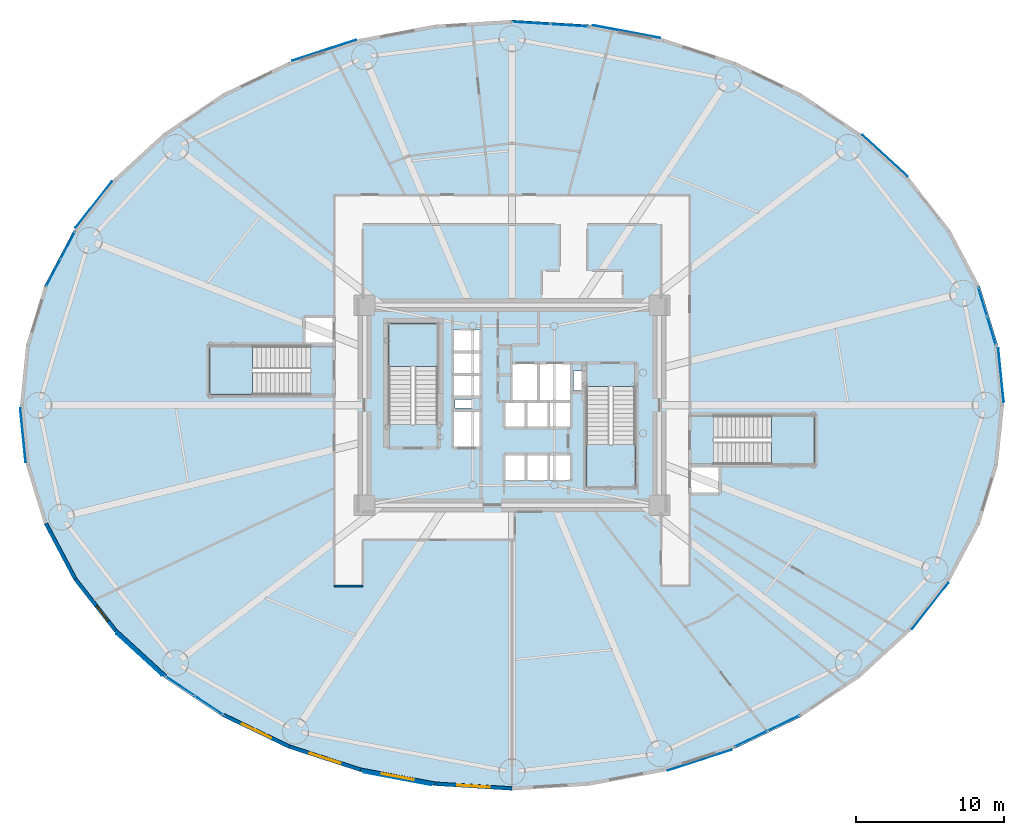
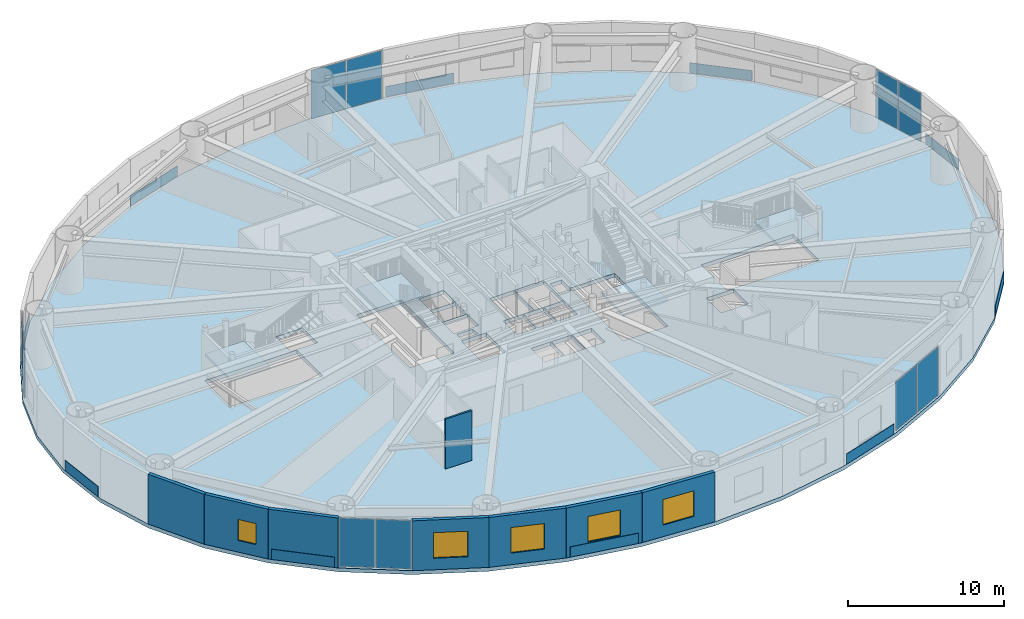
# One storey, part 12 of 27: 20 plates, 8 walls, 5 slabs, 5 windows, 5 openings, 9 elements without a shape of their own.
"""IFC4 building model written with IfcOpenShell, lengths in metres."""

import ifcopenshell
import ifcopenshell.guid

model = None  # the IFC model being written
_history = None  # IfcOwnerHistory: only IFC2X3 demands one
_inside = {}  # id of a spatial element -> (the spatial element, [elements in it])
_under = {}  # id of a project, library or spatial element -> (it, [spatial elements below it])
_declared = {}  # id of a project -> (the project, [libraries it declares])
_typed = {}  # id of a type object -> (the type object, [elements of that type])
_made_of = {}  # id of a material, layer set ... -> (it, [elements and type objects made of it])


def new_model(schema):
    """Start an empty IFC model of exactly this schema.

    Asked for "IFC4X3", IfcOpenShell would pick the latest addendum, in which some entities
    have other attributes; the version numbers below select the first issue.
    IFC2X3 requires an IfcOwnerHistory on every rooted entity: one is made here for all.
    """
    global model, _history
    if schema == "IFC4X3":
        model = ifcopenshell.file(schema_version=(4, 3, 0, 0))
    else:
        model = ifcopenshell.file(schema=schema)
    _inside.clear()
    _under.clear()
    _declared.clear()
    _typed.clear()
    _made_of.clear()
    _history = None
    if model.schema == "IFC2X3":
        org = make("IfcOrganization", Name="unknown")
        user = make(
            "IfcPersonAndOrganization",
            ThePerson=make("IfcPerson", FamilyName="unknown"),
            TheOrganization=org,
        )
        app = make(
            "IfcApplication",
            ApplicationDeveloper=org,
            Version="unknown",
            ApplicationFullName="unknown",
            ApplicationIdentifier="unknown",
        )
        _history = make(
            "IfcOwnerHistory",
            OwningUser=user,
            OwningApplication=app,
            ChangeAction="ADDED",
            CreationDate=0,
        )
    return model


def make(cls, **values):
    """One entity of the class cls with the attributes given. An attribute that is None is left unset."""
    return model.create_entity(
        cls, **{name: value for name, value in values.items() if value is not None}
    )


def rooted(cls, **values):
    """An entity with a GlobalId (a new one), such as an element, a storey or a relation."""
    return make(cls, GlobalId=ifcopenshell.guid.new(), OwnerHistory=_history, **values)


def si_unit(unit_type, name, prefix=None):
    """IfcSIUnit, for example si_unit("LENGTHUNIT", "METRE", prefix="MILLI")."""
    return make("IfcSIUnit", UnitType=unit_type, Prefix=prefix, Name=name)


def assignment(units):
    """IfcUnitAssignment: the units of a project."""
    return None if units is None else make("IfcUnitAssignment", Units=units)


def point(xyz):
    """IfcCartesianPoint."""
    return None if xyz is None else make("IfcCartesianPoint", Coordinates=xyz)


def direction(xyz):
    """IfcDirection."""
    return None if xyz is None else make("IfcDirection", DirectionRatios=xyz)


def frame(location, z_axis=None, x_axis=None):
    """IfcAxis2Placement3D, a coordinate frame: its origin and axes. An axis left out is left unset."""
    return make(
        "IfcAxis2Placement3D",
        Location=point(location),
        Axis=direction(z_axis),
        RefDirection=direction(x_axis),
    )


def frame_2d(location, x_axis=None):
    """IfcAxis2Placement2D, a coordinate frame in the plane: its origin and x axis."""
    return make(
        "IfcAxis2Placement2D", Location=point(location), RefDirection=direction(x_axis)
    )


def origin():
    """The frame at (0, 0, 0) with its axes left unset."""
    return frame((0.0, 0.0, 0.0))


def origin_2d():
    """The frame at (0, 0) in the plane with its x axis left unset."""
    return frame_2d((0.0, 0.0))


def place(relative_to, where):
    """IfcLocalPlacement: puts the frame where relative to a parent placement (None: the world)."""
    return make(
        "IfcLocalPlacement", PlacementRelTo=relative_to, RelativePlacement=where
    )


def context(
    kind, dimensions, precision=None, world=None, true_north=None, identifier=None
):
    """IfcGeometricRepresentationContext, for example the 3D "Model" context."""
    return make(
        "IfcGeometricRepresentationContext",
        ContextIdentifier=identifier,
        ContextType=kind,
        CoordinateSpaceDimension=dimensions,
        Precision=precision,
        WorldCoordinateSystem=world,
        TrueNorth=true_north,
    )


def subcontext(parent, identifier, kind, view, scale=None):
    """IfcGeometricRepresentationSubContext, for example "Body" below "Model"."""
    return make(
        "IfcGeometricRepresentationSubContext",
        ContextIdentifier=identifier,
        ContextType=kind,
        ParentContext=parent,
        TargetScale=scale,
        TargetView=view,
    )


def project(units=None, contexts=None):
    """IfcProject with its units and contexts."""
    return rooted(
        "IfcProject",
        Name="project",
        RepresentationContexts=contexts,
        UnitsInContext=assignment(units),
    )


def spatial(cls, under=None, at=None, **own):
    """A site, building, storey or space (cls), placed at a placement, below another one or the project."""
    s = rooted(cls, ObjectPlacement=at, **own)
    if under is not None:
        _under.setdefault(under.id(), (under, []))[1].append(s)
    return s


def polyline(points):
    """IfcPolyline through the points."""
    return make("IfcPolyline", Points=[point(p) for p in points])


def profile(cls, at=None, kind="AREA", **sizes):
    """A parametric profile (cls). Its sizes go by their IFC names, for example OverallWidth=200.0."""
    return make(cls, ProfileType=kind, Position=at, **sizes)


def rectangle(**sizes):
    """IfcRectangleProfileDef."""
    return profile("IfcRectangleProfileDef", **sizes)


def outline(outer, holes=None, kind="AREA"):
    """IfcArbitraryClosedProfileDef: a profile drawn as a closed curve; with holes, ...WithVoids."""
    if holes is None:
        return make("IfcArbitraryClosedProfileDef", ProfileType=kind, OuterCurve=outer)
    return make(
        "IfcArbitraryProfileDefWithVoids",
        ProfileType=kind,
        OuterCurve=outer,
        InnerCurves=holes,
    )


def extrude(swept, where, along, depth):
    """IfcExtrudedAreaSolid: the profile swept, set in the frame where, extruded along a direction by depth."""
    return make(
        "IfcExtrudedAreaSolid",
        SweptArea=swept,
        Position=where,
        ExtrudedDirection=direction(along),
        Depth=depth,
    )


def shape(context_of_items, identifier, shape_type, items):
    """IfcShapeRepresentation: the items that make up one representation, for example the "Body"."""
    return make(
        "IfcShapeRepresentation",
        ContextOfItems=context_of_items,
        RepresentationIdentifier=identifier,
        RepresentationType=shape_type,
        Items=items,
    )


def source(mapping_origin, context_of_items, identifier, shape_type, items):
    """IfcRepresentationMap: a shape defined once, which mapped items show again and again."""
    return make(
        "IfcRepresentationMap",
        MappingOrigin=mapping_origin,
        MappedRepresentation=shape(context_of_items, identifier, shape_type, items),
    )


def transform(
    local_origin,
    x_axis=None,
    y_axis=None,
    z_axis=None,
    scale=None,
    scale2=None,
    scale3=None,
    uniform=True,
):
    """IfcCartesianTransformationOperator3D, or its non-uniform kind. x_axis, y_axis, z_axis: its Axis1, 2, 3."""
    if uniform:
        return make(
            "IfcCartesianTransformationOperator3D",
            Axis1=direction(x_axis),
            Axis2=direction(y_axis),
            LocalOrigin=point(local_origin),
            Scale=scale,
            Axis3=direction(z_axis),
        )
    return make(
        "IfcCartesianTransformationOperator3DnonUniform",
        Axis1=direction(x_axis),
        Axis2=direction(y_axis),
        LocalOrigin=point(local_origin),
        Scale=scale,
        Axis3=direction(z_axis),
        Scale2=scale2,
        Scale3=scale3,
    )


def mapped(mapping_source, mapping_target):
    """IfcMappedItem: shows the shape of a source again, moved by a transform."""
    return make(
        "IfcMappedItem", MappingSource=mapping_source, MappingTarget=mapping_target
    )


def material(Name=None, Category=None):
    """IfcMaterial."""
    return make("IfcMaterial", Name=Name, Category=Category)


def layer(
    of_material, thickness, ventilated=None, Name=None, Category=None, Priority=None
):
    """IfcMaterialLayer: one layer of a wall or slab, of a material (None: an air gap)."""
    return make(
        "IfcMaterialLayer",
        Material=of_material,
        LayerThickness=thickness,
        IsVentilated=ventilated,
        Name=Name,
        Category=Category,
        Priority=Priority,
    )


def layer_set(layers, Name=None):
    """IfcMaterialLayerSet."""
    return make("IfcMaterialLayerSet", MaterialLayers=layers, LayerSetName=Name)


def made_of(thing, what):
    """Note that an element or type object is made of a material, layer set ...; save() writes the relation."""
    if what is not None:
        _made_of.setdefault(what.id(), (what, []))[1].append(thing)
    return thing


def type_object(cls, material=None, **own):
    """A type object (cls), such as IfcWallType, which elements share."""
    return made_of(rooted(cls, **own), material)


def element(
    cls,
    number,
    at=None,
    inside=None,
    cuts=None,
    type_object=None,
    material=None,
    context=None,
    identifier="Body",
    shape_type=None,
    held_by="IfcProductDefinitionShape",
    body=None,
    shapes=None,
    **own,
):
    """One element of the class cls, such as IfcWall. Its Tag is "e" and its number.

    at: its placement. inside: the storey or other place that contains it. cuts: it is an
    opening in that element (IfcRelVoidsElement). A single representation is given by context,
    identifier, shape_type and body (its items); several are given by shapes. held_by: the class
    of the entity that holds the representations. save() writes the other relations.
    """
    e = rooted(cls, Tag="e%d" % number, ObjectPlacement=at, **own)
    if body is not None:
        shapes = [shape(context, identifier, shape_type, body)]
    if shapes is not None:
        e.Representation = make(held_by, Representations=shapes)
    if inside is not None:
        _inside.setdefault(inside.id(), (inside, []))[1].append(e)
    if cuts is not None:
        rooted(
            "IfcRelVoidsElement", RelatingBuildingElement=cuts, RelatedOpeningElement=e
        )
    if type_object is not None:
        _typed.setdefault(type_object.id(), (type_object, []))[1].append(e)
    return made_of(e, material)


def fill(opening, filler):
    """IfcRelFillsElement: the door or window that sits in an opening."""
    return rooted(
        "IfcRelFillsElement",
        RelatingOpeningElement=opening,
        RelatedBuildingElement=filler,
    )


def aggregate(whole, parts):
    """IfcRelAggregates: a whole, such as a stair, and the parts it consists of."""
    return rooted("IfcRelAggregates", RelatingObject=whole, RelatedObjects=parts)


def save(model, path):
    """Write the relations noted so far, then the file.

    IfcRelAggregates (storeys below a building ...), IfcRelContainedInSpatialStructure (elements
    in a storey), IfcRelDefinesByType, IfcRelAssociatesMaterial and IfcRelDeclares: one each for
    every whole, place, type object, material and project.
    """
    for whole, parts in _under.values():
        aggregate(whole, parts)
    for where, things in _inside.values():
        rooted(
            "IfcRelContainedInSpatialStructure",
            RelatedElements=things,
            RelatingStructure=where,
        )
    for kind, things in _typed.values():
        rooted("IfcRelDefinesByType", RelatedObjects=things, RelatingType=kind)
    for what, things in _made_of.values():
        rooted("IfcRelAssociatesMaterial", RelatedObjects=things, RelatingMaterial=what)
    for by, libraries in _declared.values():
        rooted("IfcRelDeclares", RelatingContext=by, RelatedDefinitions=libraries)
    model.write(path)


model = new_model("IFC4")

# Units and contexts
model_context = context("Model", 3, precision=1e-05, world=origin(), true_north=direction((0.0, 1.0)))
body_context = subcontext(model_context, "Body", "Model", "MODEL_VIEW")
ifc_project = project(units=[si_unit("LENGTHUNIT", "METRE"), si_unit("AREAUNIT", "SQUARE_METRE"), si_unit("VOLUMEUNIT", "CUBIC_METRE"), si_unit("PLANEANGLEUNIT", "RADIAN"), si_unit("MASSUNIT", "GRAM", prefix="KILO")], contexts=[model_context])

# Site, building, storey
site_placement = place(None, origin())
site = spatial("IfcSite", under=ifc_project, at=site_placement, CompositionType="ELEMENT")
building_placement = place(site_placement, origin())
building = spatial("IfcBuilding", under=site, at=building_placement, Name="Linh Dai School and Residence Tower", CompositionType="ELEMENT")
storey_placement = place(building_placement, frame((0.0, 0.0, 22.800048828125)))
storey = spatial("IfcBuildingStorey", under=building, at=storey_placement, Name="L05", CompositionType="ELEMENT", Elevation=22.800048828125)

# Slab
ifc_material_1 = material(Name="Concrete B45 (C35/45)", Category="concrete")
ifc_layer_1 = layer(ifc_material_1, 0.300048828125)
ifc_layer_set_1 = layer_set([ifc_layer_1], Name="Concrete B45 (C35/45)")
slab_type_1 = type_object("IfcSlabType", Name="SLB-FLR300", PredefinedType="FLOOR", material=ifc_layer_set_1)
slab_1_placement = place(storey_placement, frame((0.0, 0.0, -0.300048828125)))
element("IfcSlab", 1, at=slab_1_placement, inside=storey, type_object=slab_type_1, Name="L05 Composite Structural Floor Slab", PredefinedType="FLOOR", context=body_context, shape_type="SweptSolid", body=[
    extrude(outline(polyline([(69.199951171875, 27.0), (68.791259765625, 31.0673828125), (67.5751953125, 35.034423828125), (65.581298828125, 38.8037109375), (62.859375, 42.282470703125), (59.475830078125, 45.384765625), (55.514404296875, 48.034423828125), (51.072509765625, 50.166259765625), (46.25927734375, 51.7275390625), (41.193603515625, 52.679931640625), (36.0, 53.0), (30.806396484375, 52.679931640625), (25.74072265625, 51.7275390625), (20.927490234375, 50.166259765625), (16.485595703125, 48.034423828125), (12.524169921875, 45.384765625), (9.140625, 42.282470703125), (6.418701171875, 38.8037109375), (4.4248046875, 35.034423828125), (3.208740234375, 31.0673828125), (2.800048828125, 27.0), (3.208740234375, 22.9326171875), (4.4248046875, 18.965576171875), (6.418701171875, 15.1962890625), (9.140625, 11.717529296875), (12.524169921875, 8.615234375), (16.485595703125, 5.965576171875), (20.927490234375, 3.833740234375), (25.74072265625, 2.2724609375), (30.806396484375, 1.320068359375), (36.0, 1.0), (41.193603515625, 1.320068359375), (46.25927734375, 2.2724609375), (51.072509765625, 3.833740234375), (55.514404296875, 5.965576171875), (59.475830078125, 8.615234375), (62.859375, 11.717529296875), (65.581298828125, 15.1962890625), (67.5751953125, 18.965576171875), (68.791259765625, 22.9326171875), (69.199951171875, 27.0)]), holes=[polyline([(30.97998046875, 25.699951171875), (30.97998046875, 32.5), (27.679931640625, 32.5), (27.679931640625, 25.699951171875), (30.97998046875, 25.699951171875)]), polyline([(41.02001953125, 28.25), (41.02001953125, 21.449951171875), (44.320068359375, 21.449951171875), (44.320068359375, 28.25), (41.02001953125, 28.25)]), polyline([(22.39990234375, 31.0), (15.60009765625, 31.0), (15.60009765625, 27.699951171875), (22.39990234375, 27.699951171875), (22.39990234375, 31.0)]), polyline([(49.60009765625, 23.0), (56.39990234375, 23.0), (56.39990234375, 26.300048828125), (49.60009765625, 26.300048828125), (49.60009765625, 23.0)]), polyline([(35.97998046875, 27.280029296875), (37.77001953125, 27.280029296875), (37.77001953125, 29.820068359375), (35.97998046875, 29.820068359375), (35.97998046875, 27.280029296875)]), polyline([(32.030029296875, 24.1298828125), (33.8701171875, 24.1298828125), (33.8701171875, 26.6201171875), (32.030029296875, 26.6201171875), (32.030029296875, 24.1298828125)]), polyline([(37.830078125, 27.280029296875), (39.969970703125, 27.280029296875), (39.969970703125, 29.820068359375), (37.830078125, 29.820068359375), (37.830078125, 27.280029296875)]), polyline([(35.47998046875, 21.929931640625), (36.929931640625, 21.929931640625), (36.929931640625, 23.669921875), (35.47998046875, 23.669921875), (35.47998046875, 21.929931640625)]), polyline([(36.989990234375, 21.929931640625), (38.449951171875, 21.929931640625), (38.449951171875, 23.669921875), (36.989990234375, 23.669921875), (36.989990234375, 21.929931640625)]), polyline([(38.510009765625, 21.929931640625), (39.969970703125, 21.929931640625), (39.969970703125, 23.669921875), (38.510009765625, 23.669921875), (38.510009765625, 21.929931640625)]), polyline([(32.030029296875, 27.580078125), (33.8701171875, 27.580078125), (33.8701171875, 29.030029296875), (32.030029296875, 29.030029296875), (32.030029296875, 27.580078125)]), polyline([(32.030029296875, 29.090087890625), (33.8701171875, 29.090087890625), (33.8701171875, 30.550048828125), (32.030029296875, 30.550048828125), (32.030029296875, 29.090087890625)]), polyline([(32.030029296875, 30.610107421875), (33.8701171875, 30.610107421875), (33.8701171875, 32.070068359375), (32.030029296875, 32.070068359375), (32.030029296875, 30.610107421875)]), polyline([(35.47998046875, 25.47998046875), (36.929931640625, 25.47998046875), (36.929931640625, 27.219970703125), (35.47998046875, 27.219970703125), (35.47998046875, 25.47998046875)]), polyline([(36.989990234375, 25.47998046875), (38.449951171875, 25.47998046875), (38.449951171875, 27.219970703125), (36.989990234375, 27.219970703125), (36.989990234375, 25.47998046875)]), polyline([(38.510009765625, 25.47998046875), (39.969970703125, 25.47998046875), (39.969970703125, 27.219970703125), (38.510009765625, 27.219970703125), (38.510009765625, 25.47998046875)]), polyline([(21.97998046875, 31.080078125), (23.969970703125, 31.080078125), (23.969970703125, 32.969970703125), (21.97998046875, 32.969970703125), (21.97998046875, 31.080078125)]), polyline([(48.030029296875, 21.030029296875), (50.02001953125, 21.030029296875), (50.02001953125, 22.919921875), (48.030029296875, 22.919921875), (48.030029296875, 21.030029296875)]), polyline([(40.14990234375, 28.0), (40.14990234375, 29.300048828125), (41.0, 29.300048828125), (41.0, 28.280029296875), (40.989990234375, 28.280029296875), (40.989990234375, 28.0), (40.14990234375, 28.0)]), polyline([(32.14990234375, 26.800048828125), (33.35009765625, 26.800048828125), (33.35009765625, 27.39990234375), (32.14990234375, 27.39990234375), (32.14990234375, 26.800048828125)])]), origin(), (0.0, 0.0, 1.0), 0.300048828125),
])

# Stair, slab
stair_type = type_object("IfcStairType", Name="ST-DOG-1550-R1500", PredefinedType="HALF_TURN_STAIR", material=ifc_material_1)
stair_1_placement = place(storey_placement, origin())
stair_1 = element("IfcStair", 2, at=stair_1_placement, inside=storey, type_object=stair_type, Name="L05 Core Smokeproof Exit Stair ST1", PredefinedType="HALF_TURN_STAIR")
ifc_layer_2 = layer(ifc_material_1, 0.199951171875)
ifc_layer_set_2 = layer_set([ifc_layer_2], Name="Concrete B45 (C35/45)")
slab_type_2 = type_object("IfcSlabType", Name="SLB-ST-LANDING-200", PredefinedType="LANDING", material=ifc_layer_set_2)
slab_2_placement = place(storey_placement, frame((0.0, 0.0, 1.89990234375)))
slab_2 = element("IfcSlab", 3, at=slab_2_placement, type_object=slab_type_2, Name="ST1 landing 1", PredefinedType="LANDING", context=body_context, shape_type="SweptSolid", body=[
    extrude(outline(polyline([(30.97998046875, 29.60009765625), (30.97998046875, 32.5), (27.679931640625, 32.5), (27.679931640625, 29.60009765625), (30.97998046875, 29.60009765625)])), origin(), (0.0, 0.0, 1.0), 0.199951171875),
])
aggregate(stair_1, [slab_2])

stair_2_placement = place(storey_placement, origin())
stair_2 = element("IfcStair", 4, at=stair_2_placement, inside=storey, type_object=stair_type, Name="L05 Core Smokeproof Exit Stair ST2", PredefinedType="HALF_TURN_STAIR")
slab_3_placement = place(storey_placement, frame((0.0, 0.0, 1.89990234375)))
slab_3 = element("IfcSlab", 5, at=slab_3_placement, type_object=slab_type_2, Name="ST2 landing 1", PredefinedType="LANDING", context=body_context, shape_type="SweptSolid", body=[
    extrude(outline(polyline([(41.02001953125, 24.35009765625), (41.02001953125, 21.449951171875), (44.320068359375, 21.449951171875), (44.320068359375, 24.35009765625), (41.02001953125, 24.35009765625)])), origin(), (0.0, 0.0, 1.0), 0.199951171875),
])
aggregate(stair_2, [slab_3])

stair_3_placement = place(storey_placement, origin())
stair_3 = element("IfcStair", 6, at=stair_3_placement, inside=storey, type_object=stair_type, Name="L05 School Exit Stair STS1", PredefinedType="HALF_TURN_STAIR")
slab_4_placement = place(storey_placement, frame((0.0, 0.0, 1.89990234375)))
slab_4 = element("IfcSlab", 7, at=slab_4_placement, type_object=slab_type_2, Name="STS1 landing 1", PredefinedType="LANDING", context=body_context, shape_type="SweptSolid", body=[
    extrude(outline(polyline([(18.5, 31.0), (15.60009765625, 31.0), (15.60009765625, 27.699951171875), (18.5, 27.699951171875), (18.5, 31.0)])), origin(), (0.0, 0.0, 1.0), 0.199951171875),
])
aggregate(stair_3, [slab_4])

stair_4_placement = place(storey_placement, origin())
stair_4 = element("IfcStair", 8, at=stair_4_placement, inside=storey, type_object=stair_type, Name="L05 School Exit Stair STS2", PredefinedType="HALF_TURN_STAIR")
slab_5_placement = place(storey_placement, frame((0.0, 0.0, 1.89990234375)))
slab_5 = element("IfcSlab", 9, at=slab_5_placement, type_object=slab_type_2, Name="STS2 landing 1", PredefinedType="LANDING", context=body_context, shape_type="SweptSolid", body=[
    extrude(outline(polyline([(53.5, 23.0), (56.39990234375, 23.0), (56.39990234375, 26.300048828125), (53.5, 26.300048828125), (53.5, 23.0)])), origin(), (0.0, 0.0, 1.0), 0.199951171875),
])
aggregate(stair_4, [slab_5])

# Plates
ifc_material_2 = material(Name="Terracotta Rainscreen Cladding", Category="masonry")
ifc_layer_3 = layer(ifc_material_2, 0.0400390625)
ifc_layer_set_3 = layer_set([ifc_layer_3], Name="Terracotta Rainscreen Cladding")
plate_type_1 = type_object("IfcPlateType", Name="PLT-TC-SPANDREL", PredefinedType="SHEET", material=ifc_layer_set_3)
shared_shape_1 = source(origin(), body_context, "Body", "SweptSolid", [
    extrude(rectangle(XDim=3.656494140625, YDim=0.0400390625, at=origin_2d()), origin(), (0.0, 0.0, 1.0), 0.800048828125),
])
for number, where, z_axis, x_axis, name in (
    (10, (69.006103515625, 29.03466796875, 0.02001953125), (0.0, 0.0, 1.0), (0.099995480682, -0.994987891305, 0.0), "L05 Terracotta Spandrel Sheet 01"),
    (11, (2.993896484375, 24.96533203125, 0.02001953125), (0.0, 0.0, 1.0), (-0.099995480682, 0.994987891305, 0.0), "L05 Terracotta Spandrel Sheet 21"),
):
    element("IfcPlate", number, at=place(storey_placement, frame(where, z_axis=z_axis, x_axis=x_axis)), inside=storey, type_object=plate_type_1, Name=name, PredefinedType="SHEET", context=body_context, shape_type="MappedRepresentation", body=[
        mapped(shared_shape_1, transform((0.0, 0.0, 0.0), x_axis=(1.0, 0.0, 0.0), y_axis=(0.0, 1.0, 0.0), z_axis=(0.0, 0.0, 1.0), scale=1.0)),
    ])

# Curtain wall, plates
ifc_material_3 = material(Name="Aluminium Anodised Curtain Wall", Category="aluminium")
ifc_layer_4 = layer(ifc_material_3, 0.169921875)
ifc_layer_set_4 = layer_set([ifc_layer_4], Name="Aluminium Anodised Curtain Wall")
curtain_wall_type = type_object("IfcCurtainWallType", Name="CW-SYS-2", PredefinedType="USERDEFINED", material=ifc_layer_set_4)
curtain_wall_1_placement = place(storey_placement, origin())
curtain_wall_1 = element("IfcCurtainWall", 12, at=curtain_wall_1_placement, inside=storey, type_object=curtain_wall_type, Name="L05 CW2 Curtain Wall 02", ObjectType="UNITISED CURTAIN WALL", PredefinedType="USERDEFINED")
ifc_material_4 = material(Name="Double Low-E Insulated Glazing", Category="glass")
ifc_layer_5 = layer(ifc_material_4, 0.030029296875)
ifc_layer_set_5 = layer_set([ifc_layer_5], Name="Double Low-E Insulated Glazing")
plate_type_2 = type_object("IfcPlateType", Name="CW-SYS-2-PAN", PredefinedType="CURTAIN_PANEL", material=ifc_layer_set_5)
shared_shape_2 = source(origin(), body_context, "Body", "SweptSolid", [
    extrude(rectangle(XDim=1.97265625, YDim=0.030029296875, at=origin_2d()), origin(), (0.0, 0.0, 1.0), 3.780029296875),
])
plate_1_placement = place(storey_placement, frame((67.766357421875, 33.986083984375, 0.06005859375), z_axis=(0.0, 0.0, 1.0), x_axis=(0.293103659962, -0.956080668415, 0.0)))
plate_1 = element("IfcPlate", 13, at=plate_1_placement, type_object=plate_type_2, Name="CW2 panel 1.1", PredefinedType="CURTAIN_PANEL", context=body_context, shape_type="MappedRepresentation", body=[
    mapped(shared_shape_2, transform((0.0, 0.0, 0.0), x_axis=(1.0, 0.0, 0.0), y_axis=(0.0, 1.0, 0.0), z_axis=(0.0, 0.0, 1.0), scale=1.0)),
])
plate_2_placement = place(storey_placement, frame((68.362060546875, 32.04296875, 0.06005859375), z_axis=(0.0, 0.0, 1.0), x_axis=(0.293103659962, -0.956080668415, 0.0)))
plate_2 = element("IfcPlate", 14, at=plate_2_placement, type_object=plate_type_2, Name="CW2 panel 2.1", PredefinedType="CURTAIN_PANEL", context=body_context, shape_type="MappedRepresentation", body=[
    mapped(shared_shape_2, transform((0.0, 0.0, 0.0), x_axis=(1.0, 0.0, 0.0), y_axis=(0.0, 1.0, 0.0), z_axis=(0.0, 0.0, 1.0), scale=1.0)),
])
aggregate(curtain_wall_1, [plate_1, plate_2])

# Plates
shared_shape_3 = source(origin(), body_context, "Body", "SweptSolid", [
    extrude(rectangle(XDim=4.113525390625, YDim=0.0400390625, at=origin_2d()), origin(), (0.0, 0.0, 1.0), 0.800048828125),
])
for number, where, z_axis, x_axis, name in (
    (15, (61.174560546875, 43.84130859375, 0.02001953125), (0.0, 0.0, 1.0), (0.737062771311, -0.675824290143, 0.0), "L05 Terracotta Spandrel Sheet 05"),
    (16, (10.825439453125, 10.15869140625, 0.02001953125), (0.0, 0.0, 1.0), (-0.737061772031, 0.675825379969, 0.0), "L05 Terracotta Spandrel Sheet 25"),
):
    element("IfcPlate", number, at=place(storey_placement, frame(where, z_axis=z_axis, x_axis=x_axis)), inside=storey, type_object=plate_type_1, Name=name, PredefinedType="SHEET", context=body_context, shape_type="MappedRepresentation", body=[
        mapped(shared_shape_3, transform((0.0, 0.0, 0.0), x_axis=(1.0, 0.0, 0.0), y_axis=(0.0, 1.0, 0.0), z_axis=(0.0, 0.0, 1.0), scale=1.0)),
    ])
shared_shape_4 = source(origin(), body_context, "Body", "SweptSolid", [
    extrude(rectangle(XDim=4.625, YDim=0.0400390625, at=origin_2d()), origin(), (0.0, 0.0, 1.0), 0.800048828125),
])
for number, where, z_axis, x_axis, name in (
    (17, (43.728271484375, 52.2138671875, 0.02001953125), (0.0, 0.0, 1.0), (0.982780818112, -0.184775170275, 0.0), "L05 Terracotta Spandrel Sheet 09"),
    (18, (28.271728515625, 1.7861328125, 0.02001953125), (0.0, 0.0, 1.0), (-0.982780818112, 0.184775170275, 0.0), "L05 Terracotta Spandrel Sheet 29"),
):
    element("IfcPlate", number, at=place(storey_placement, frame(where, z_axis=z_axis, x_axis=x_axis)), inside=storey, type_object=plate_type_1, Name=name, PredefinedType="SHEET", context=body_context, shape_type="MappedRepresentation", body=[
        mapped(shared_shape_4, transform((0.0, 0.0, 0.0), x_axis=(1.0, 0.0, 0.0), y_axis=(0.0, 1.0, 0.0), z_axis=(0.0, 0.0, 1.0), scale=1.0)),
    ])

# Curtain wall, plates
curtain_wall_2_placement = place(storey_placement, origin())
curtain_wall_2 = element("IfcCurtainWall", 19, at=curtain_wall_2_placement, inside=storey, type_object=curtain_wall_type, Name="L05 CW2 Curtain Wall 10", ObjectType="UNITISED CURTAIN WALL", PredefinedType="USERDEFINED")
shared_shape_5 = source(origin(), body_context, "Body", "SweptSolid", [
    extrude(rectangle(XDim=2.504150390625, YDim=0.030029296875, at=origin_2d()), origin(), (0.0, 0.0, 1.0), 3.780029296875),
])
plate_3_placement = place(storey_placement, frame((37.3095703125, 52.794189453125, 0.06005859375), z_axis=(0.0, 0.0, 1.0), x_axis=(0.998106086185, -0.061516182598, 0.0)))
plate_3 = element("IfcPlate", 20, at=plate_3_placement, type_object=plate_type_2, Name="CW2 panel 1.1", PredefinedType="CURTAIN_PANEL", context=body_context, shape_type="MappedRepresentation", body=[
    mapped(shared_shape_5, transform((0.0, 0.0, 0.0), x_axis=(1.0, 0.0, 0.0), y_axis=(0.0, 1.0, 0.0), z_axis=(0.0, 0.0, 1.0), scale=1.0)),
])
plate_4_placement = place(storey_placement, frame((39.86865234375, 52.636474609375, 0.06005859375), z_axis=(0.0, 0.0, 1.0), x_axis=(0.998106086185, -0.061516182598, 0.0)))
plate_4 = element("IfcPlate", 21, at=plate_4_placement, type_object=plate_type_2, Name="CW2 panel 2.1", PredefinedType="CURTAIN_PANEL", context=body_context, shape_type="MappedRepresentation", body=[
    mapped(shared_shape_5, transform((0.0, 0.0, 0.0), x_axis=(1.0, 0.0, 0.0), y_axis=(0.0, 1.0, 0.0), z_axis=(0.0, 0.0, 1.0), scale=1.0)),
])
aggregate(curtain_wall_2, [plate_3, plate_4])

# Plates
shared_shape_6 = source(origin(), body_context, "Body", "SweptSolid", [
    extrude(rectangle(XDim=4.539306640625, YDim=0.0400390625, at=origin_2d()), origin(), (0.0, 0.0, 1.0), 0.800048828125),
])
for number, where, z_axis, x_axis, name in (
    (22, (23.3310546875, 50.95654296875, 0.02001953125), (0.0, 0.0, 1.0), (0.951206809592, 0.308554055858, 0.0), "L05 Terracotta Spandrel Sheet 13"),
    (23, (48.6689453125, 3.04345703125, 0.02001953125), (0.0, 0.0, 1.0), (-0.951206809592, -0.308554055858, 0.0), "L05 Terracotta Spandrel Sheet 33"),
):
    element("IfcPlate", number, at=place(storey_placement, frame(where, z_axis=z_axis, x_axis=x_axis)), inside=storey, type_object=plate_type_1, Name=name, PredefinedType="SHEET", context=body_context, shape_type="MappedRepresentation", body=[
        mapped(shared_shape_6, transform((0.0, 0.0, 0.0), x_axis=(1.0, 0.0, 0.0), y_axis=(0.0, 1.0, 0.0), z_axis=(0.0, 0.0, 1.0), scale=1.0)),
    ])
shared_shape_7 = source(origin(), body_context, "Body", "SweptSolid", [
    extrude(rectangle(XDim=3.956298828125, YDim=0.0400390625, at=origin_2d()), origin(), (0.0, 0.0, 1.0), 0.800048828125),
])
for number, where, z_axis, x_axis, name in (
    (24, (7.771484375, 40.5498046875, 0.02001953125), (0.0, 0.0, 1.0), (0.616260230785, 0.787542588025, 0.0), "L05 Terracotta Spandrel Sheet 17"),
    (25, (64.228515625, 13.4501953125, 0.02001953125), (0.0, 0.0, 1.0), (-0.616260230785, -0.787542588025, 0.0), "L05 Terracotta Spandrel Sheet 37"),
):
    element("IfcPlate", number, at=place(storey_placement, frame(where, z_axis=z_axis, x_axis=x_axis)), inside=storey, type_object=plate_type_1, Name=name, PredefinedType="SHEET", context=body_context, shape_type="MappedRepresentation", body=[
        mapped(shared_shape_7, transform((0.0, 0.0, 0.0), x_axis=(1.0, 0.0, 0.0), y_axis=(0.0, 1.0, 0.0), z_axis=(0.0, 0.0, 1.0), scale=1.0)),
    ])

# Curtain wall, plates
curtain_wall_3_placement = place(storey_placement, origin())
curtain_wall_3 = element("IfcCurtainWall", 26, at=curtain_wall_3_placement, inside=storey, type_object=curtain_wall_type, Name="L05 CW2 Curtain Wall 18", ObjectType="UNITISED CURTAIN WALL", PredefinedType="USERDEFINED")
shared_shape_8 = source(origin(), body_context, "Body", "SweptSolid", [
    extrude(rectangle(XDim=2.030517578125, YDim=0.030029296875, at=origin_2d()), origin(), (0.0, 0.0, 1.0), 3.780029296875),
])
plate_5_placement = place(storey_placement, frame((5.043212890625, 35.93701171875, 0.06005859375), z_axis=(0.0, 0.0, 1.0), x_axis=(0.467555104298, 0.883963927118, 0.0)))
plate_5 = element("IfcPlate", 27, at=plate_5_placement, type_object=plate_type_2, Name="CW2 panel 1.1", PredefinedType="CURTAIN_PANEL", context=body_context, shape_type="MappedRepresentation", body=[
    mapped(shared_shape_8, transform((0.0, 0.0, 0.0), x_axis=(1.0, 0.0, 0.0), y_axis=(0.0, 1.0, 0.0), z_axis=(0.0, 0.0, 1.0), scale=1.0)),
])
plate_6_placement = place(storey_placement, frame((6.0205078125, 37.78515625, 0.06005859375), z_axis=(0.0, 0.0, 1.0), x_axis=(0.467555104298, 0.883963927118, 0.0)))
plate_6 = element("IfcPlate", 28, at=plate_6_placement, type_object=plate_type_2, Name="CW2 panel 2.1", PredefinedType="CURTAIN_PANEL", context=body_context, shape_type="MappedRepresentation", body=[
    mapped(shared_shape_8, transform((0.0, 0.0, 0.0), x_axis=(1.0, 0.0, 0.0), y_axis=(0.0, 1.0, 0.0), z_axis=(0.0, 0.0, 1.0), scale=1.0)),
])
aggregate(curtain_wall_3, [plate_5, plate_6])

curtain_wall_4_placement = place(storey_placement, origin())
curtain_wall_4 = element("IfcCurtainWall", 29, at=curtain_wall_4_placement, inside=storey, type_object=curtain_wall_type, Name="L05 CW2 Curtain Wall 26", ObjectType="UNITISED CURTAIN WALL", PredefinedType="USERDEFINED")
shared_shape_9 = source(origin(), body_context, "Body", "SweptSolid", [
    extrude(rectangle(XDim=2.28369140625, YDim=0.030029296875, at=origin_2d()), origin(), (0.0, 0.0, 1.0), 3.780029296875),
])
plate_7_placement = place(storey_placement, frame((15.54833984375, 6.742431640625, 0.06005859375), z_axis=(0.0, 0.0, 1.0), x_axis=(-0.831211344437, 0.555956563843, 0.0)))
plate_7 = element("IfcPlate", 30, at=plate_7_placement, type_object=plate_type_2, Name="CW2 panel 1.1", PredefinedType="CURTAIN_PANEL", context=body_context, shape_type="MappedRepresentation", body=[
    mapped(shared_shape_9, transform((0.0, 0.0, 0.0), x_axis=(1.0, 0.0, 0.0), y_axis=(0.0, 1.0, 0.0), z_axis=(0.0, 0.0, 1.0), scale=1.0)),
])
plate_8_placement = place(storey_placement, frame((13.60009765625, 8.04541015625, 0.06005859375), z_axis=(0.0, 0.0, 1.0), x_axis=(-0.831211344437, 0.555956563843, 0.0)))
plate_8 = element("IfcPlate", 31, at=plate_8_placement, type_object=plate_type_2, Name="CW2 panel 2.1", PredefinedType="CURTAIN_PANEL", context=body_context, shape_type="MappedRepresentation", body=[
    mapped(shared_shape_9, transform((0.0, 0.0, 0.0), x_axis=(1.0, 0.0, 0.0), y_axis=(0.0, 1.0, 0.0), z_axis=(0.0, 0.0, 1.0), scale=1.0)),
])
aggregate(curtain_wall_4, [plate_7, plate_8])

curtain_wall_5_placement = place(storey_placement, origin())
curtain_wall_5 = element("IfcCurtainWall", 32, at=curtain_wall_5_placement, inside=storey, type_object=curtain_wall_type, Name="L05 CW2 Curtain Wall 34", ObjectType="UNITISED CURTAIN WALL", PredefinedType="USERDEFINED")
shared_shape_10 = source(origin(), body_context, "Body", "SweptSolid", [
    extrude(rectangle(XDim=2.364990234375, YDim=0.030029296875, at=origin_2d()), origin(), (0.0, 0.0, 1.0), 3.780029296875),
])
plate_9_placement = place(storey_placement, frame((54.33251953125, 5.53662109375, 0.06005859375), z_axis=(0.0, 0.0, 1.0), x_axis=(-0.901558428479, -0.432657370259, 0.0)))
plate_9 = element("IfcPlate", 33, at=plate_9_placement, type_object=plate_type_2, Name="CW2 panel 1.1", PredefinedType="CURTAIN_PANEL", context=body_context, shape_type="MappedRepresentation", body=[
    mapped(shared_shape_10, transform((0.0, 0.0, 0.0), x_axis=(1.0, 0.0, 0.0), y_axis=(0.0, 1.0, 0.0), z_axis=(0.0, 0.0, 1.0), scale=1.0)),
])
plate_10_placement = place(storey_placement, frame((52.146240234375, 4.487548828125, 0.06005859375), z_axis=(0.0, 0.0, 1.0), x_axis=(-0.901558428479, -0.432657370259, 0.0)))
plate_10 = element("IfcPlate", 34, at=plate_10_placement, type_object=plate_type_2, Name="CW2 panel 2.1", PredefinedType="CURTAIN_PANEL", context=body_context, shape_type="MappedRepresentation", body=[
    mapped(shared_shape_10, transform((0.0, 0.0, 0.0), x_axis=(1.0, 0.0, 0.0), y_axis=(0.0, 1.0, 0.0), z_axis=(0.0, 0.0, 1.0), scale=1.0)),
])
aggregate(curtain_wall_5, [plate_9, plate_10])

# Wall
ifc_material_5 = material(Name="Precast Concrete B45 (C35/45)", Category="concrete")
ifc_layer_6 = layer(ifc_material_5, 0.25)
ifc_layer_set_6 = layer_set([ifc_layer_6], Name="Precast Concrete B45 (C35/45)")
wall_type_1 = type_object("IfcWallType", Name="EW-TC-250", PredefinedType="SOLIDWALL", material=ifc_layer_set_6)
wall_1_placement = place(storey_placement, frame((6.5234375, 15.264404296875, 0.0), z_axis=(0.0, 0.0, 1.0), x_axis=(-0.467588829866, 0.883946087827, 0.0)))
element("IfcWall", 35, at=wall_1_placement, inside=storey, type_object=wall_type_1, Name="L05 Terracotta Exterior Wall 23", PredefinedType="SOLIDWALL", context=body_context, shape_type="SweptSolid", body=[
    extrude(rectangle(XDim=4.2412109375, YDim=0.25, at=frame_2d((2.12060546875, 0.0))), origin(), (0.0, 0.0, 1.0), 3.89990234375),
])

# Wall, opening, window
wall_2_placement = place(storey_placement, frame((9.232177734375, 11.802490234375, 0.0), z_axis=(0.0, 0.0, 1.0), x_axis=(-0.61622589112, 0.787569457961, 0.0)))
wall_2 = element("IfcWall", 36, at=wall_2_placement, inside=storey, type_object=wall_type_1, Name="L05 Terracotta Exterior Wall 24", PredefinedType="SOLIDWALL", context=body_context, shape_type="SweptSolid", body=[
    extrude(rectangle(XDim=4.395751953125, YDim=0.25, at=frame_2d((2.19775390625, 0.0))), origin(), (0.0, 0.0, 1.0), 3.89990234375),
])
opening_1_placement = place(wall_2_placement, frame((0.81884765625, 0.0, 0.89990234375)))
opening_1 = element("IfcOpeningElement", 37, at=opening_1_placement, cuts=wall_2, Name="Opening W3", PredefinedType="OPENING", context=body_context, shape_type="SweptSolid", body=[
    extrude(rectangle(XDim=1.25, YDim=1.64990234375, at=origin_2d()), frame((0.625, 0.135009765625, 0.824951171875), z_axis=(0.0, -1.0, 0.0), x_axis=(1.0, 0.0, 0.0)), (0.0, 0.0, 1.0), 0.27001953125),
])
window_type_1 = type_object("IfcWindowType", Name="WN-RES-1250x1650", PartitioningType="SINGLE_PANEL", PredefinedType="WINDOW", material=ifc_material_4)
shared_shape_11 = source(origin(), body_context, "Body", "SweptSolid", [
    extrude(rectangle(XDim=1.25, YDim=1.64990234375, at=origin_2d()), frame((0.625, 0.030029296875, 0.824951171875), z_axis=(0.0, -1.0, 0.0), x_axis=(1.0, 0.0, 0.0)), (0.0, 0.0, 1.0), 0.06005859375),
])
window_1_placement = place(opening_1_placement, origin())
window_1 = element("IfcWindow", 38, at=window_1_placement, inside=storey, type_object=window_type_1, Name="L05 Exterior Window 24.1", OverallHeight=1.64990234375, OverallWidth=1.25, PartitioningType="SINGLE_PANEL", PredefinedType="WINDOW", context=body_context, shape_type="MappedRepresentation", body=[
    mapped(shared_shape_11, transform((0.0, 0.0, 0.0), x_axis=(1.0, 0.0, 0.0), y_axis=(0.0, 1.0, 0.0), z_axis=(0.0, 0.0, 1.0), scale=1.0)),
])
fill(opening_1, window_1)

# Wall
wall_3_placement = place(storey_placement, frame((12.60107421875, 8.713623046875, 0.0), z_axis=(0.0, 0.0, 1.0), x_axis=(-0.737076532105, 0.675809282136, 0.0)))
element("IfcWall", 39, at=wall_3_placement, inside=storey, type_object=wall_type_1, Name="L05 Terracotta Exterior Wall 25", PredefinedType="SOLIDWALL", context=body_context, shape_type="SweptSolid", body=[
    extrude(rectangle(XDim=4.570556640625, YDim=0.25, at=frame_2d((2.28515625, 0.0))), origin(), (0.0, 0.0, 1.0), 3.89990234375),
])

# Wall, opening, window
wall_4_placement = place(storey_placement, frame((20.973876953125, 3.949951171875, 0.0), z_axis=(0.0, 0.0, 1.0), x_axis=(-0.901559523397, 0.432655088692, 0.0)))
wall_4 = element("IfcWall", 40, at=wall_4_placement, inside=storey, type_object=wall_type_1, Name="L05 Terracotta Exterior Wall 27", PredefinedType="SOLIDWALL", context=body_context, shape_type="SweptSolid", body=[
    extrude(rectangle(XDim=4.909912109375, YDim=0.25, at=frame_2d((2.455078125, 0.0))), origin(), (0.0, 0.0, 1.0), 3.89990234375),
])
opening_2_placement = place(wall_4_placement, frame((1.354736328125, 0.0, 0.89990234375)))
opening_2 = element("IfcOpeningElement", 41, at=opening_2_placement, cuts=wall_4, Name="Opening W4", PredefinedType="OPENING", context=body_context, shape_type="SweptSolid", body=[
    extrude(rectangle(XDim=2.199951171875, YDim=2.0, at=origin_2d()), frame((1.10009765625, 0.135009765625, 1.0), z_axis=(0.0, -1.0, 0.0), x_axis=(1.0, 0.0, 0.0)), (0.0, 0.0, 1.0), 0.27001953125),
])
ifc_material_6 = material(Name="Acoustic Laminated Low-E Glazing", Category="glass")
window_type_2 = type_object("IfcWindowType", Name="WN-SCH-2200x2000", PartitioningType="TRIPLE_PANEL_VERTICAL", PredefinedType="WINDOW", material=ifc_material_6)
shared_shape_12 = source(origin(), body_context, "Body", "SweptSolid", [
    extrude(rectangle(XDim=2.199951171875, YDim=2.0, at=origin_2d()), frame((1.10009765625, 0.030029296875, 1.0), z_axis=(0.0, -1.0, 0.0), x_axis=(1.0, 0.0, 0.0)), (0.0, 0.0, 1.0), 0.06005859375),
])
window_2_placement = place(opening_2_placement, origin())
window_2 = element("IfcWindow", 42, at=window_2_placement, inside=storey, type_object=window_type_2, Name="L05 Exterior Window 27.1", OverallHeight=2.0, OverallWidth=2.199951171875, PartitioningType="TRIPLE_PANEL_VERTICAL", PredefinedType="WINDOW", context=body_context, shape_type="MappedRepresentation", body=[
    mapped(shared_shape_12, transform((0.0, 0.0, 0.0), x_axis=(1.0, 0.0, 0.0), y_axis=(0.0, 1.0, 0.0), z_axis=(0.0, 0.0, 1.0), scale=1.0)),
])
fill(opening_2, window_2)

wall_5_placement = place(storey_placement, frame((25.771484375, 2.3935546875, 0.0), z_axis=(0.0, 0.0, 1.0), x_axis=(-0.951198629726, 0.308579271513, 0.0)))
wall_5 = element("IfcWall", 43, at=wall_5_placement, inside=storey, type_object=wall_type_1, Name="L05 Terracotta Exterior Wall 28", PredefinedType="SOLIDWALL", context=body_context, shape_type="SweptSolid", body=[
    extrude(rectangle(XDim=5.043701171875, YDim=0.25, at=frame_2d((2.52197265625, 0.0))), origin(), (0.0, 0.0, 1.0), 3.89990234375),
])
opening_3_placement = place(wall_5_placement, frame((1.421630859375, 0.0, 0.89990234375)))
opening_3 = element("IfcOpeningElement", 44, at=opening_3_placement, cuts=wall_5, Name="Opening W4", PredefinedType="OPENING", context=body_context, shape_type="SweptSolid", body=[
    extrude(rectangle(XDim=2.199951171875, YDim=2.0, at=origin_2d()), frame((1.10009765625, 0.135009765625, 1.0), z_axis=(0.0, -1.0, 0.0), x_axis=(1.0, 0.0, 0.0)), (0.0, 0.0, 1.0), 0.27001953125),
])
window_3_placement = place(opening_3_placement, origin())
window_3 = element("IfcWindow", 45, at=window_3_placement, inside=storey, type_object=window_type_2, Name="L05 Exterior Window 28.1", OverallHeight=2.0, OverallWidth=2.199951171875, PartitioningType="TRIPLE_PANEL_VERTICAL", PredefinedType="WINDOW", context=body_context, shape_type="MappedRepresentation", body=[
    mapped(shared_shape_12, transform((0.0, 0.0, 0.0), x_axis=(1.0, 0.0, 0.0), y_axis=(0.0, 1.0, 0.0), z_axis=(0.0, 0.0, 1.0), scale=1.0)),
])
fill(opening_3, window_3)

wall_6_placement = place(storey_placement, frame((30.82177734375, 1.444091796875, 0.0), z_axis=(0.0, 0.0, 1.0), x_axis=(-0.98278278947, 0.184764684726, 0.0)))
wall_6 = element("IfcWall", 46, at=wall_6_placement, inside=storey, type_object=wall_type_1, Name="L05 Terracotta Exterior Wall 29", PredefinedType="SOLIDWALL", context=body_context, shape_type="SweptSolid", body=[
    extrude(rectangle(XDim=5.138671875, YDim=0.25, at=frame_2d((2.5693359375, 0.0))), origin(), (0.0, 0.0, 1.0), 3.89990234375),
])
opening_4_placement = place(wall_6_placement, frame((1.469482421875, 0.0, 0.89990234375)))
opening_4 = element("IfcOpeningElement", 47, at=opening_4_placement, cuts=wall_6, Name="Opening W4", PredefinedType="OPENING", context=body_context, shape_type="SweptSolid", body=[
    extrude(rectangle(XDim=2.199951171875, YDim=2.0, at=origin_2d()), frame((1.10009765625, 0.135009765625, 1.0), z_axis=(0.0, -1.0, 0.0), x_axis=(1.0, 0.0, 0.0)), (0.0, 0.0, 1.0), 0.27001953125),
])
window_4_placement = place(opening_4_placement, origin())
window_4 = element("IfcWindow", 48, at=window_4_placement, inside=storey, type_object=window_type_2, Name="L05 Exterior Window 29.1", OverallHeight=2.0, OverallWidth=2.199951171875, PartitioningType="TRIPLE_PANEL_VERTICAL", PredefinedType="WINDOW", context=body_context, shape_type="MappedRepresentation", body=[
    mapped(shared_shape_12, transform((0.0, 0.0, 0.0), x_axis=(1.0, 0.0, 0.0), y_axis=(0.0, 1.0, 0.0), z_axis=(0.0, 0.0, 1.0), scale=1.0)),
])
fill(opening_4, window_4)

wall_7_placement = place(storey_placement, frame((36.0, 1.125, 0.0), z_axis=(0.0, 0.0, 1.0), x_axis=(-0.998106762298, 0.061505211614, 0.0)))
wall_7 = element("IfcWall", 49, at=wall_7_placement, inside=storey, type_object=wall_type_1, Name="L05 Terracotta Exterior Wall 30", PredefinedType="SOLIDWALL", context=body_context, shape_type="SweptSolid", body=[
    extrude(rectangle(XDim=5.18798828125, YDim=0.25, at=frame_2d((2.593994140625, 0.0))), origin(), (0.0, 0.0, 1.0), 3.89990234375),
])
opening_5_placement = place(wall_7_placement, frame((1.493896484375, 0.0, 0.89990234375)))
opening_5 = element("IfcOpeningElement", 50, at=opening_5_placement, cuts=wall_7, Name="Opening W4", PredefinedType="OPENING", context=body_context, shape_type="SweptSolid", body=[
    extrude(rectangle(XDim=2.199951171875, YDim=2.0, at=origin_2d()), frame((1.10009765625, 0.135009765625, 1.0), z_axis=(0.0, -1.0, 0.0), x_axis=(1.0, 0.0, 0.0)), (0.0, 0.0, 1.0), 0.27001953125),
])
window_5_placement = place(opening_5_placement, origin())
window_5 = element("IfcWindow", 51, at=window_5_placement, inside=storey, type_object=window_type_2, Name="L05 Exterior Window 30.1", OverallHeight=2.0, OverallWidth=2.199951171875, PartitioningType="TRIPLE_PANEL_VERTICAL", PredefinedType="WINDOW", context=body_context, shape_type="MappedRepresentation", body=[
    mapped(shared_shape_12, transform((0.0, 0.0, 0.0), x_axis=(1.0, 0.0, 0.0), y_axis=(0.0, 1.0, 0.0), z_axis=(0.0, 0.0, 1.0), scale=1.0)),
])
fill(opening_5, window_5)

# Wall
ifc_material_7 = material(Name="Autoclaved Aerated Concrete Blockwork", Category="masonry")
ifc_layer_7 = layer(ifc_material_7, 0.135009765625)
ifc_layer_set_7 = layer_set([ifc_layer_7], Name="Autoclaved Aerated Concrete Blockwork")
wall_type_2 = type_object("IfcWallType", Name="IW-CORR-135-EI90", PredefinedType="PARTITIONING", material=ifc_layer_set_7)
wall_8_placement = place(storey_placement, frame((24.0, 14.800048828125, 0.0), z_axis=(0.0, 0.0, 1.0), x_axis=(1.0, 0.0, 0.0)))
element("IfcWall", 52, at=wall_8_placement, inside=storey, type_object=wall_type_2, Name="L05 Interior Partition Wall 010", PredefinedType="PARTITIONING", context=body_context, shape_type="SweptSolid", body=[
    extrude(rectangle(XDim=1.949951171875, YDim=0.135009765625, at=frame_2d((0.97509765625, 0.0))), origin(), (0.0, 0.0, 1.0), 3.89990234375),
])

save(model, "model.ifc")
